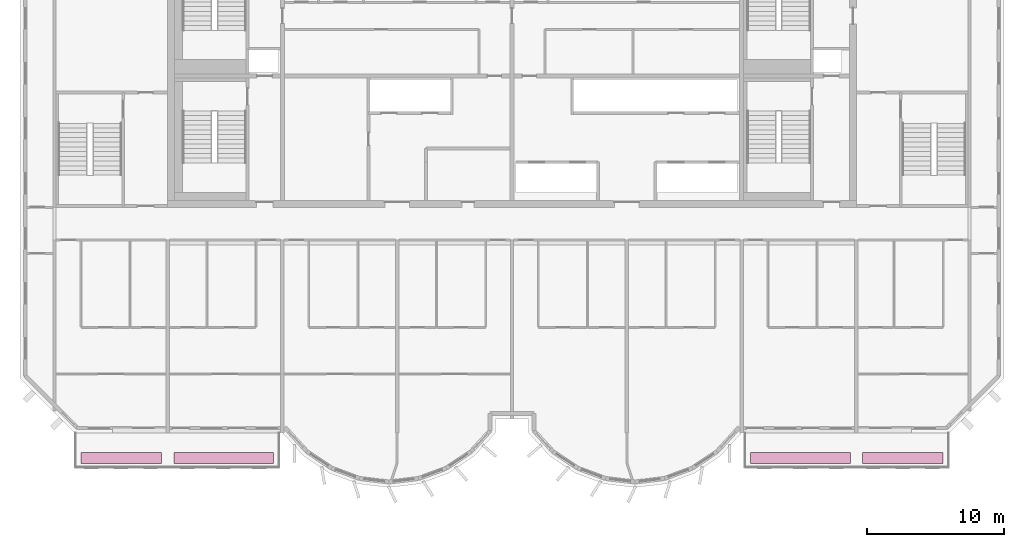
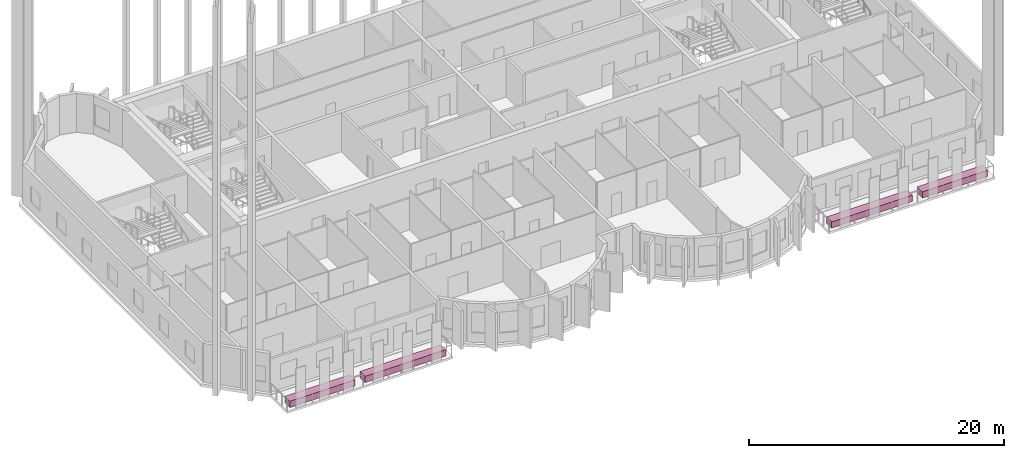
# One storey, part 13 of 13: 4 furniture elements.
"""IFC4 building model written with IfcOpenShell, lengths in metres."""

from ifc_helpers import new_model, si_unit, direction, frame, origin, origin_2d, place, context, subcontext, project, spatial, rectangle, extrude, source, transform, mapped, material, type_object, element, save


model = new_model("IFC4")

# Units and contexts
model_context = context("Model", 3, precision=1e-05, world=origin(), true_north=direction((0.0, 1.0)))
body_context = subcontext(model_context, "Body", "Model", "MODEL_VIEW")
ifc_project = project(units=[si_unit("LENGTHUNIT", "METRE"), si_unit("AREAUNIT", "SQUARE_METRE"), si_unit("VOLUMEUNIT", "CUBIC_METRE"), si_unit("PLANEANGLEUNIT", "RADIAN"), si_unit("MASSUNIT", "GRAM", prefix="KILO")], contexts=[model_context])

# Site, building, storey
site_placement = place(None, origin())
site = spatial("IfcSite", under=ifc_project, at=site_placement, CompositionType="ELEMENT")
building_placement = place(site_placement, origin())
building = spatial("IfcBuilding", under=site, at=building_placement, Name="Vanashikhar Sky Hotel", CompositionType="ELEMENT")
storey_placement = place(building_placement, frame((0.0, 0.0, 277.699951171875)))
storey = spatial("IfcBuildingStorey", under=building, at=storey_placement, Name="L66", CompositionType="ELEMENT", Elevation=277.699951171875)

# Furniture
ifc_material = material(Name="Planting soil and shrubs")
furniture_type = type_object("IfcFurnitureType", Name="Planter trough", AssemblyPlace="NOTDEFINED", PredefinedType="USERDEFINED", material=ifc_material)
shared_shape_1 = source(origin(), body_context, "Body", "SweptSolid", [
    extrude(rectangle(XDim=7.300048828125, YDim=0.800048828125, at=origin_2d()), origin(), (0.0, 0.0, 1.0), 0.60009765625),
])
for number, where, z_axis, x_axis, name in (
    (1, (29.300048828125, 3.64990234375, -0.050048828125), (0.0, 0.0, 1.0), (1.0, 0.0, 0.0), "PLANTER with climbers"),
    (2, (71.5, 3.64990234375, -0.050048828125), (0.0, 0.0, 1.0), (1.0, 0.0, 0.0), "PLANTER with climbers"),
):
    element("IfcFurniture", number, at=place(storey_placement, frame(where, z_axis=z_axis, x_axis=x_axis)), inside=storey, type_object=furniture_type, Name=name, ObjectType="PLANTER", PredefinedType="USERDEFINED", context=body_context, shape_type="MappedRepresentation", body=[
        mapped(shared_shape_1, transform((0.0, 0.0, 0.0), scale=1.0)),
    ])
shared_shape_2 = source(origin(), body_context, "Body", "SweptSolid", [
    extrude(rectangle(XDim=5.89990234375, YDim=0.800048828125, at=origin_2d()), origin(), (0.0, 0.0, 1.0), 0.60009765625),
])
for number, where, z_axis, x_axis, name in (
    (3, (21.800048828125, 3.64990234375, -0.050048828125), (0.0, 0.0, 1.0), (1.0, 0.0, 0.0), "PLANTER with climbers"),
    (4, (79.0, 3.64990234375, -0.050048828125), (0.0, 0.0, 1.0), (1.0, 0.0, 0.0), "PLANTER with climbers"),
):
    element("IfcFurniture", number, at=place(storey_placement, frame(where, z_axis=z_axis, x_axis=x_axis)), inside=storey, type_object=furniture_type, Name=name, ObjectType="PLANTER", PredefinedType="USERDEFINED", context=body_context, shape_type="MappedRepresentation", body=[
        mapped(shared_shape_2, transform((0.0, 0.0, 0.0), scale=1.0)),
    ])

save(model, "model.ifc")
